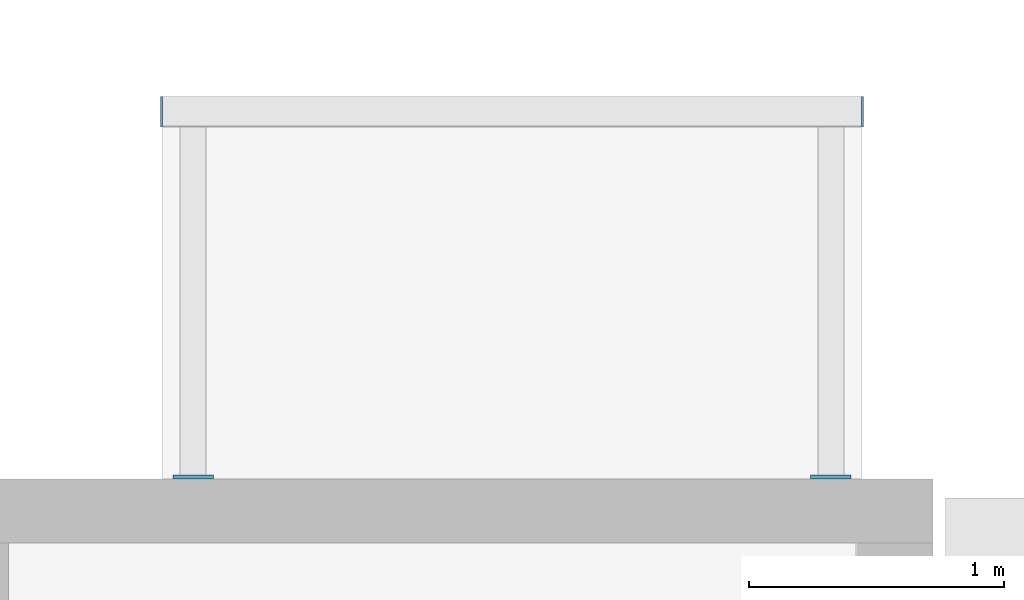
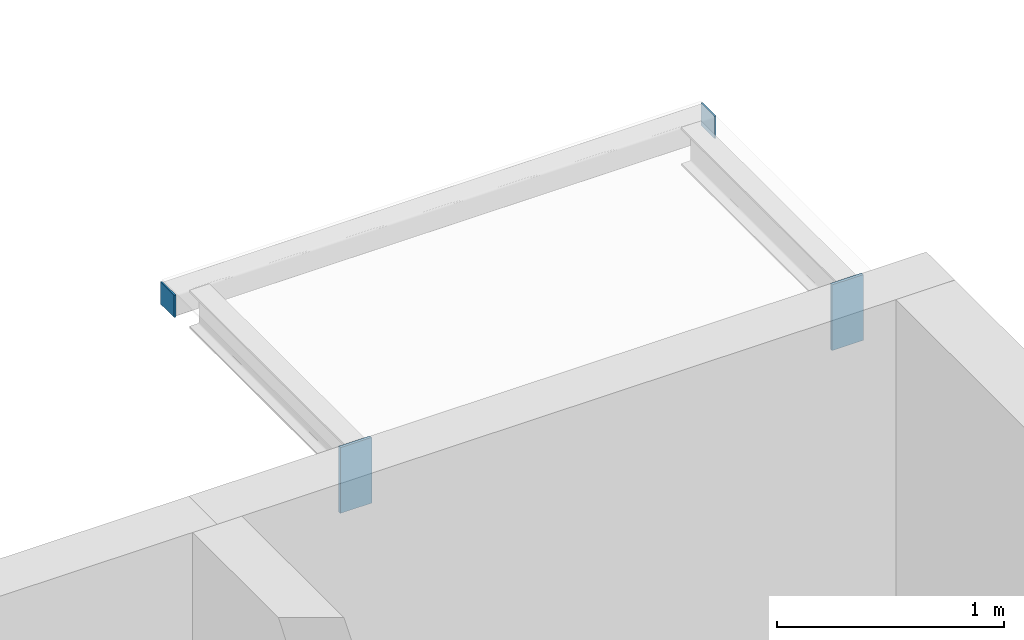
# One storey, part 91 of 122: 4 discrete accessories.
"""IFC4 building model written with IfcOpenShell, lengths in metres."""

from ifc_helpers import new_model, si_unit, direction, frame, origin, origin_2d, place, context, subcontext, project, spatial, rectangle, extrude, material, layer, layer_set, type_object, element, save


model = new_model("IFC4")

# Units and contexts
model_context = context("Model", 3, precision=1e-05, world=origin(), true_north=direction((0.0, 1.0)))
body_context = subcontext(model_context, "Body", "Model", "MODEL_VIEW")
ifc_project = project(units=[si_unit("LENGTHUNIT", "METRE"), si_unit("AREAUNIT", "SQUARE_METRE"), si_unit("VOLUMEUNIT", "CUBIC_METRE"), si_unit("PLANEANGLEUNIT", "RADIAN"), si_unit("MASSUNIT", "GRAM", prefix="KILO")], contexts=[model_context])

# Site, building, storey
site_placement = place(None, origin())
site = spatial("IfcSite", under=ifc_project, at=site_placement, CompositionType="ELEMENT")
building_placement = place(site_placement, origin())
building = spatial("IfcBuilding", under=site, at=building_placement, Name="Ridgestep Commons", CompositionType="ELEMENT")
storey_placement = place(building_placement, frame((0.0, 0.0, 3.0)))
storey = spatial("IfcBuildingStorey", under=building, at=storey_placement, Name="L01", CompositionType="ELEMENT", Elevation=3.0)

# Discrete accessories
ifc_material_1 = material(Name="Weathering steel S355J2W", Category="steel")
ifc_layer_1 = layer(ifc_material_1, 0.014892578125)
ifc_layer_set_1 = layer_set([ifc_layer_1], Name="Tray bracket plate 15")
discrete_accessory_type_1 = type_object("IfcDiscreteAccessoryType", Name="Tray bracket plate 15", PredefinedType="BRACKET", material=ifc_layer_set_1)
for number, where, z_axis, x_axis, name in (
    (1, (110.050048828125, 23.007568359375, 2.63671875), (0.0, 0.0, 1.0), (1.0, 0.0, 0.0), "Tray bracket A6T1-02.1"),
    (2, (112.550048828125, 23.007568359375, 2.63671875), (0.0, 0.0, 1.0), (1.0, 0.0, 0.0), "Tray bracket A6T1-02.2"),
):
    element("IfcDiscreteAccessory", number, at=place(storey_placement, frame(where, z_axis=z_axis, x_axis=x_axis)), inside=storey, type_object=discrete_accessory_type_1, Name=name, PredefinedType="BRACKET", context=body_context, shape_type="SweptSolid", body=[
        extrude(rectangle(XDim=0.159912109375, YDim=0.014892578125, at=origin_2d()), origin(), (0.0, 0.0, 1.0), 0.353271484375),
    ])
ifc_material_2 = material(Name="Weathering steel S355J2W", Category="steel")
ifc_layer_2 = layer(ifc_material_2, 0.008056640625)
ifc_layer_set_2 = layer_set([ifc_layer_2], Name="Tray edge member end plate 120 x 120 x 8")
discrete_accessory_type_2 = type_object("IfcDiscreteAccessoryType", Name="Tray edge member end plate 120 x 120 x 8", PredefinedType="BRACKET", material=ifc_layer_set_2)
for number, where, z_axis, x_axis, name in (
    (3, (109.926025390625, 24.43994140625, 2.869873046875), (0.0, 0.0, 1.0), (1.0, 0.0, 0.0), "Tray edge member end plate A6T1-02 west"),
    (4, (112.674072265625, 24.43994140625, 2.869873046875), (0.0, 0.0, 1.0), (1.0, 0.0, 0.0), "Tray edge member end plate A6T1-02 east"),
):
    element("IfcDiscreteAccessory", number, at=place(storey_placement, frame(where, z_axis=z_axis, x_axis=x_axis)), inside=storey, type_object=discrete_accessory_type_2, Name=name, PredefinedType="BRACKET", context=body_context, shape_type="SweptSolid", body=[
        extrude(rectangle(XDim=0.008056640625, YDim=0.1201171875, at=origin_2d()), origin(), (0.0, 0.0, 1.0), 0.1201171875),
    ])

save(model, "model.ifc")
